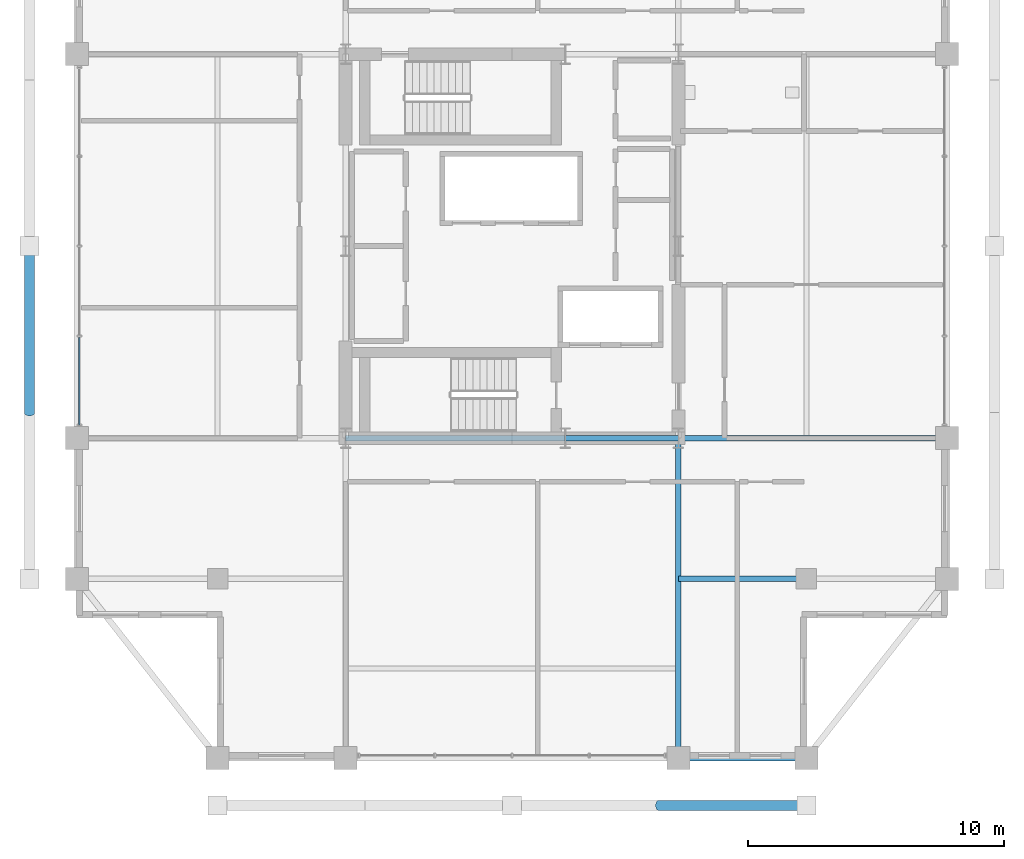
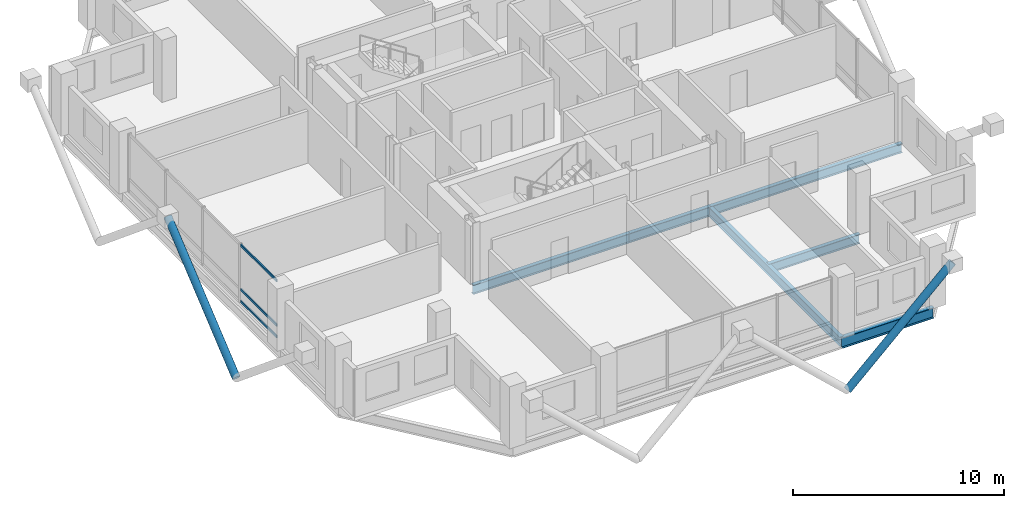
# One storey, part 6 of 22: 6 beams, 5 members, 1 element without a shape of its own.
"""IFC4 building model written with IfcOpenShell, lengths in metres."""

from ifc_helpers import new_model, si_unit, direction, frame, origin, origin_2d, place, context, subcontext, project, spatial, hollow_rectangle, hollow_circle, i_section, extrude, material, layer, layer_set, material_profile, profile_set, type_object, element, aggregate, save


model = new_model("IFC4")

# Units and contexts
model_context = context("Model", 3, precision=1e-05, world=origin(), true_north=direction((0.0, 1.0)))
body_context = subcontext(model_context, "Body", "Model", "MODEL_VIEW")
ifc_project = project(units=[si_unit("LENGTHUNIT", "METRE"), si_unit("AREAUNIT", "SQUARE_METRE"), si_unit("VOLUMEUNIT", "CUBIC_METRE"), si_unit("PLANEANGLEUNIT", "RADIAN"), si_unit("MASSUNIT", "GRAM", prefix="KILO")], contexts=[model_context])

# Site, building, storey
site_placement = place(None, origin())
site = spatial("IfcSite", under=ifc_project, at=site_placement, CompositionType="ELEMENT")
building_placement = place(site_placement, origin())
building = spatial("IfcBuilding", under=site, at=building_placement, Name="Barlavira Tower and Art Museum", CompositionType="ELEMENT")
storey_placement = place(building_placement, frame((0.0, 0.0, 258.300048828125)))
storey = spatial("IfcBuildingStorey", under=building, at=storey_placement, Name="L67", CompositionType="ELEMENT", Elevation=258.300048828125)

# Curtain wall, members
ifc_material_1 = material(Name="Low-iron coastal laminated glass", Category="glass")
ifc_layer = layer(ifc_material_1, 0.2099609375, Name="Low-iron coastal laminated glass")
ifc_layer_set = layer_set([ifc_layer], Name="Low-iron coastal laminated glass")
curtain_wall_type = type_object("IfcCurtainWallType", Name="Pale-Metal Unitised Curtain Wall Zone 4", PredefinedType="NOTDEFINED", material=ifc_layer_set)
curtain_wall_placement = place(storey_placement, origin())
curtain_wall = element("IfcCurtainWall", 1, at=curtain_wall_placement, inside=storey, type_object=curtain_wall_type, Name="L67 Curtain Wall CW4-L67-W-B3", PredefinedType="NOTDEFINED")
ifc_material_2 = material(Name="Pale anodised aluminium", Category="aluminium")
ifc_material_profile_1 = material_profile(ifc_material_2, hollow_rectangle(XDim=0.06494140625, YDim=0.139892578125, WallThickness=0.00390625, at=origin_2d()), Name="ALU-TRAN 65x140x4")
ifc_profile_set_1 = profile_set([ifc_material_profile_1], Name="Pale anodised aluminium")
member_type_1 = type_object("IfcMemberType", Name="Curtain Wall Pale-Metal Transom 65x140", PredefinedType="USERDEFINED", material=ifc_profile_set_1)
member_1_placement = place(storey_placement, frame((-16.89990234375, -3.56005859375, 0.070068359375), z_axis=(0.0, -1.0, 0.0), x_axis=(1.0, 0.0, 0.0)))
member_1 = element("IfcMember", 2, at=member_1_placement, type_object=member_type_1, Name="CW4-L67-W-B3 Transom 3.1", ObjectType="TRANSOM", PredefinedType="USERDEFINED", context=body_context, shape_type="SweptSolid", body=[
    extrude(hollow_rectangle(XDim=0.06494140625, YDim=0.139892578125, WallThickness=0.00390625, at=origin_2d()), origin(), (0.0, 0.0, 1.0), 3.425048828125),
])
member_2_placement = place(storey_placement, frame((-16.89990234375, -3.56005859375, 0.743896484375), z_axis=(0.0, -1.0, 0.0), x_axis=(1.0, 0.0, 0.0)))
member_2 = element("IfcMember", 3, at=member_2_placement, type_object=member_type_1, Name="CW4-L67-W-B3 Transom 3.2", ObjectType="TRANSOM", PredefinedType="USERDEFINED", context=body_context, shape_type="SweptSolid", body=[
    extrude(hollow_rectangle(XDim=0.06494140625, YDim=0.139892578125, WallThickness=0.00390625, at=origin_2d()), origin(), (0.0, 0.0, 1.0), 3.425048828125),
])
member_3_placement = place(storey_placement, frame((-16.89990234375, -3.56005859375, 3.31005859375), z_axis=(0.0, -1.0, 0.0), x_axis=(1.0, 0.0, 0.0)))
member_3 = element("IfcMember", 4, at=member_3_placement, type_object=member_type_1, Name="CW4-L67-W-B3 Transom 3.3", ObjectType="TRANSOM", PredefinedType="USERDEFINED", context=body_context, shape_type="SweptSolid", body=[
    extrude(hollow_rectangle(XDim=0.06494140625, YDim=0.139892578125, WallThickness=0.00390625, at=origin_2d()), origin(), (0.0, 0.0, 1.0), 3.425048828125),
])
aggregate(curtain_wall, [member_1, member_2, member_3])

# Members
ifc_material_3 = material(Name="Steel S355", Category="steel")
ifc_material_profile_2 = material_profile(ifc_material_3, hollow_circle(Radius=0.203125, WallThickness=0.01611328125, at=origin_2d()), Name="CHS 406.4x16.0")
ifc_profile_set_2 = profile_set([ifc_material_profile_2], Name="Steel S355")
member_type_2 = type_object("IfcMemberType", Name="Pale-Metal Exoskeleton Diagrid Tube CHS 406x16 Steel S355", PredefinedType="BRACE", material=ifc_profile_set_2)
member_4_placement = place(storey_placement, frame((5.75, -21.85009765625, -1.920166015625), z_axis=(0.728934650808, 0.0, 0.684583285548), x_axis=(0.0, 1.0, 0.0)))
element("IfcMember", 5, at=member_4_placement, inside=storey, type_object=member_type_2, Name="L67 Exoskeleton Diagrid Tube S", PredefinedType="BRACE", context=body_context, shape_type="SweptSolid", body=[
    extrude(hollow_circle(Radius=0.203125, WallThickness=0.01611328125, at=origin_2d()), origin(), (0.0, 0.0, 1.0), 7.88818359375),
])
member_5_placement = place(storey_placement, frame((-18.85009765625, -6.5, -1.920166015625), z_axis=(0.0, 0.76918185268, 0.639029950399), x_axis=(-1.0, 0.0, 0.0)))
element("IfcMember", 6, at=member_5_placement, inside=storey, type_object=member_type_2, Name="L67 Exoskeleton Diagrid Tube W", PredefinedType="BRACE", context=body_context, shape_type="SweptSolid", body=[
    extrude(hollow_circle(Radius=0.203125, WallThickness=0.01611328125, at=origin_2d()), origin(), (0.0, 0.0, 1.0), 8.450439453125),
])

# Beams
ifc_material_profile_3 = material_profile(ifc_material_3, i_section(OverallWidth=0.22998046875, OverallDepth=0.616943359375, WebThickness=0.01318359375, FlangeThickness=0.022216796875, at=origin_2d()), Name="W610x140.0")
ifc_profile_set_3 = profile_set([ifc_material_profile_3], Name="Steel S355")
beam_type_1 = type_object("IfcBeamType", Name="Upper Shaft Spandrel Edge Beam W610x140 Steel S355", PredefinedType="SPANDREL", material=ifc_profile_set_3)
beam_1_placement = place(storey_placement, frame((6.5, -20.0, -0.528564453125), z_axis=(1.0, 0.0, 0.0), x_axis=(0.0, 1.0, 0.0)))
element("IfcBeam", 7, at=beam_1_placement, inside=storey, type_object=beam_type_1, Name="L67 Spandrel 3", PredefinedType="SPANDREL", context=body_context, shape_type="SweptSolid", body=[
    extrude(i_section(OverallWidth=0.22998046875, OverallDepth=0.616943359375, WebThickness=0.01318359375, FlangeThickness=0.022216796875, at=origin_2d()), origin(), (0.0, 0.0, 1.0), 5.0),
])
ifc_material_profile_4 = material_profile(ifc_material_3, i_section(OverallWidth=0.2109375, OverallDepth=0.5390625, WebThickness=0.01171875, FlangeThickness=0.018798828125, at=origin_2d()), Name="W530x109.0")
ifc_profile_set_4 = profile_set([ifc_material_profile_4], Name="Steel S355")
beam_type_2 = type_object("IfcBeamType", Name="Zone 3-4 Primary Floor Girder W530x109 Steel S355", PredefinedType="BEAM", material=ifc_profile_set_4)
beam_2_placement = place(storey_placement, frame((-6.5, -7.5, -0.489501953125), z_axis=(1.0, 0.0, 0.0), x_axis=(0.0, 1.0, 0.0)))
element("IfcBeam", 8, at=beam_2_placement, inside=storey, type_object=beam_type_2, Name="L67 Girder C-S1", PredefinedType="BEAM", context=body_context, shape_type="SweptSolid", body=[
    extrude(i_section(OverallWidth=0.2109375, OverallDepth=0.5390625, WebThickness=0.01171875, FlangeThickness=0.018798828125, at=origin_2d()), origin(), (0.0, 0.0, 1.0), 8.580078125),
])
beam_3_placement = place(storey_placement, frame((2.080078125, -7.5, -0.489501953125), z_axis=(1.0, 0.0, 0.0), x_axis=(0.0, 1.0, 0.0)))
element("IfcBeam", 9, at=beam_3_placement, inside=storey, type_object=beam_type_2, Name="L67 Girder C-S2", PredefinedType="BEAM", context=body_context, shape_type="SweptSolid", body=[
    extrude(i_section(OverallWidth=0.2109375, OverallDepth=0.5390625, WebThickness=0.01171875, FlangeThickness=0.018798828125, at=origin_2d()), origin(), (0.0, 0.0, 1.0), 4.419921875),
])
beam_4_placement = place(storey_placement, frame((6.5, -20.0, -0.489501953125), z_axis=(0.0, 1.0, 0.0), x_axis=(-1.0, 0.0, 0.0)))
element("IfcBeam", 10, at=beam_4_placement, inside=storey, type_object=beam_type_2, Name="L67 Girder R-S2", PredefinedType="BEAM", context=body_context, shape_type="SweptSolid", body=[
    extrude(i_section(OverallWidth=0.2109375, OverallDepth=0.5390625, WebThickness=0.01171875, FlangeThickness=0.018798828125, at=origin_2d()), origin(), (0.0, 0.0, 1.0), 12.5),
])
beam_5_placement = place(storey_placement, frame((6.5, -7.5, -0.489501953125), z_axis=(1.0, 0.0, 0.0), x_axis=(0.0, 1.0, 0.0)))
element("IfcBeam", 11, at=beam_5_placement, inside=storey, type_object=beam_type_2, Name="L67 Girder R-E1", PredefinedType="BEAM", context=body_context, shape_type="SweptSolid", body=[
    extrude(i_section(OverallWidth=0.2109375, OverallDepth=0.5390625, WebThickness=0.01171875, FlangeThickness=0.018798828125, at=origin_2d()), origin(), (0.0, 0.0, 1.0), 10.5),
])
beam_6_placement = place(storey_placement, frame((6.5, -13.0, -0.489501953125), z_axis=(1.0, 0.0, 0.0), x_axis=(0.0, 1.0, 0.0)))
element("IfcBeam", 12, at=beam_6_placement, inside=storey, type_object=beam_type_2, Name="L67 Girder I-S3", PredefinedType="BEAM", context=body_context, shape_type="SweptSolid", body=[
    extrude(i_section(OverallWidth=0.2109375, OverallDepth=0.5390625, WebThickness=0.01171875, FlangeThickness=0.018798828125, at=origin_2d()), origin(), (0.0, 0.0, 1.0), 5.0),
])

save(model, "model.ifc")
